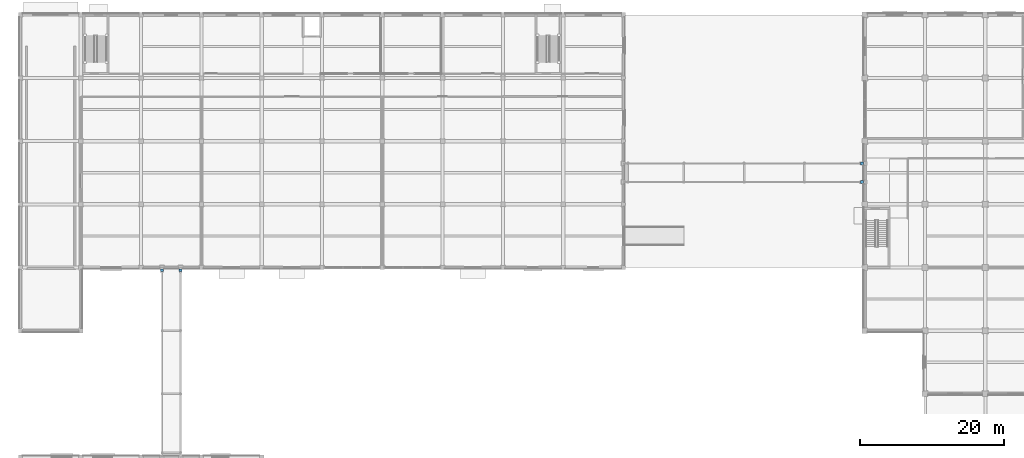
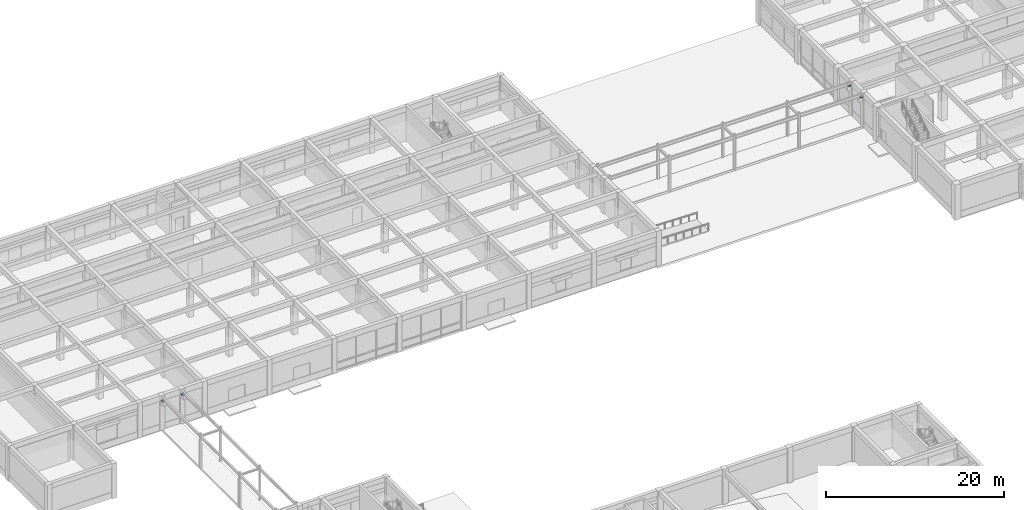
# One storey, part 42 of 58: 4 discrete accessories.
"""IFC4 building model written with IfcOpenShell, lengths in metres."""

from ifc_helpers import new_model, si_unit, direction, frame, origin, origin_2d, place, context, subcontext, project, spatial, rectangle, extrude, material, type_object, element, save


model = new_model("IFC4")

# Units and contexts
model_context = context("Model", 3, precision=1e-05, world=origin(), true_north=direction((0.0, 1.0)))
body_context = subcontext(model_context, "Body", "Model", "MODEL_VIEW")
ifc_project = project(units=[si_unit("LENGTHUNIT", "METRE"), si_unit("AREAUNIT", "SQUARE_METRE"), si_unit("VOLUMEUNIT", "CUBIC_METRE"), si_unit("PLANEANGLEUNIT", "RADIAN"), si_unit("MASSUNIT", "GRAM", prefix="KILO")], contexts=[model_context])

# Site, building, storey
site_placement = place(None, origin())
site = spatial("IfcSite", under=ifc_project, at=site_placement, CompositionType="ELEMENT")
building_placement = place(site_placement, origin())
building = spatial("IfcBuilding", under=site, at=building_placement, Name="Kemercrest Conservatory and Botanical Centre", CompositionType="ELEMENT")
storey_placement = place(building_placement, origin())
storey = spatial("IfcBuildingStorey", under=building, at=storey_placement, Name="L00", CompositionType="ELEMENT", Elevation=0.0)

# Discrete accessories
ifc_material = material(Name="Stainless steel and PTFE elastomeric sliding bearing", Category="steel")
discrete_accessory_type = type_object("IfcDiscreteAccessoryType", Name="SB1", PredefinedType="BRACKET", material=ifc_material)
for number, where, z_axis, x_axis, name in (
    (1, (27.699951171875, 86.824951171875, 4.093017578125), (0.0, 0.0, 1.0), (1.0, 0.0, 0.0), "Seismic link bridge bearing SB1 SJ-2"),
    (2, (30.300048828125, 86.824951171875, 4.093017578125), (0.0, 0.0, 1.0), (1.0, 0.0, 0.0), "Seismic link bridge bearing SB1 SJ-2"),
    (3, (125.22509765625, 99.10009765625, 4.093017578125), (0.0, 0.0, 1.0), (1.0, 0.0, 0.0), "Seismic link bridge bearing SB1 SJ-3"),
    (4, (125.22509765625, 101.699951171875, 4.093017578125), (0.0, 0.0, 1.0), (1.0, 0.0, 0.0), "Seismic link bridge bearing SB1 SJ-3"),
):
    element("IfcDiscreteAccessory", number, at=place(storey_placement, frame(where, z_axis=z_axis, x_axis=x_axis)), inside=storey, type_object=discrete_accessory_type, Name=name, PredefinedType="BRACKET", context=body_context, shape_type="SweptSolid", body=[
        extrude(rectangle(XDim=0.3798828125, YDim=0.3798828125, at=origin_2d()), origin(), (0.0, 0.0, 1.0), 0.080078125),
    ])

save(model, "model.ifc")
